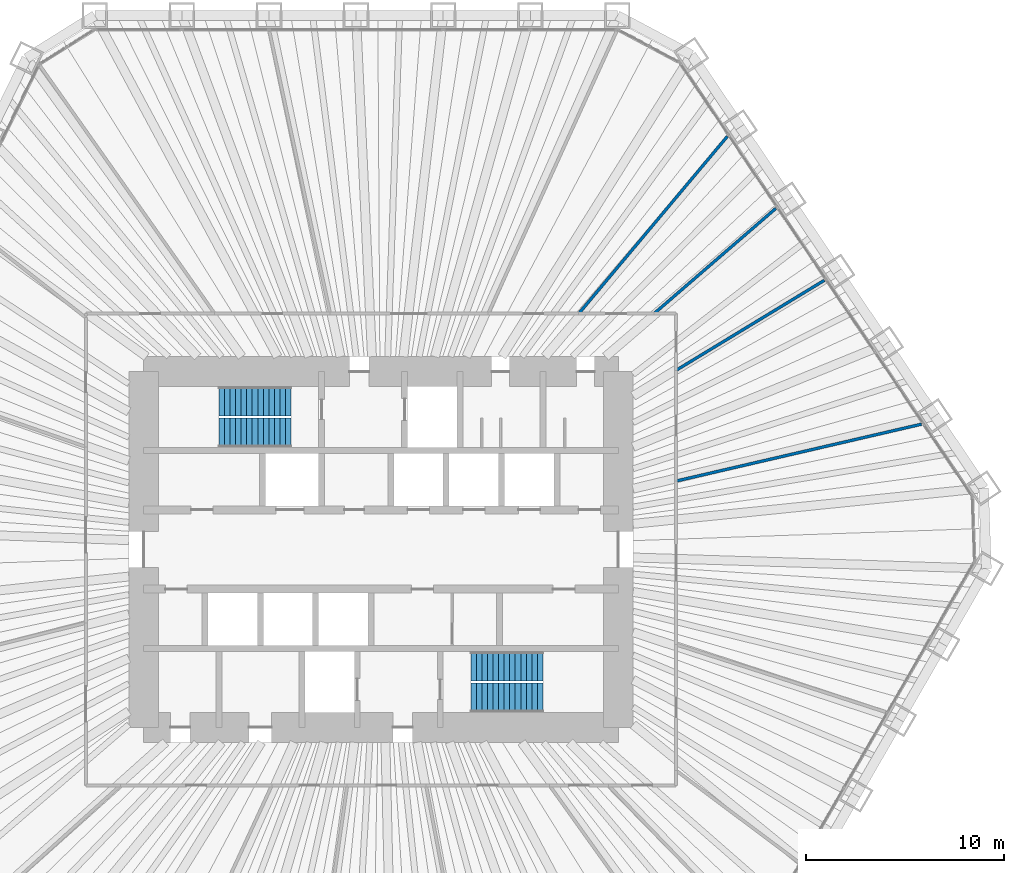
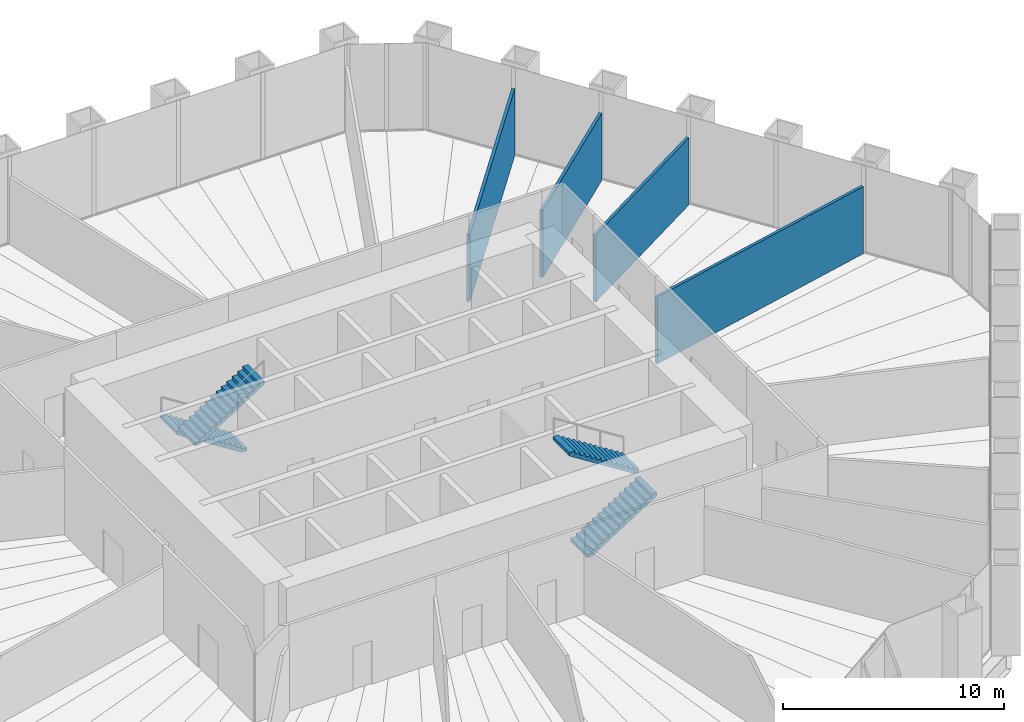
# One storey, part 13 of 14: 4 stair flights, 4 walls, 2 elements without a shape of their own.
"""IFC4 building model written with IfcOpenShell, lengths in metres."""

from ifc_helpers import new_model, si_unit, direction, frame, frame_2d, origin, place, context, subcontext, project, spatial, polyline, rectangle, outline, extrude, material, layer, layer_set, type_object, element, aggregate, save


model = new_model("IFC4")

# Units and contexts
model_context = context("Model", 3, precision=1e-05, world=origin(), true_north=direction((0.0, 1.0)))
body_context = subcontext(model_context, "Body", "Model", "MODEL_VIEW")
ifc_project = project(units=[si_unit("LENGTHUNIT", "METRE"), si_unit("AREAUNIT", "SQUARE_METRE"), si_unit("VOLUMEUNIT", "CUBIC_METRE"), si_unit("PLANEANGLEUNIT", "RADIAN"), si_unit("MASSUNIT", "GRAM", prefix="KILO")], contexts=[model_context])

# Site, building, storey
site_placement = place(None, origin())
site = spatial("IfcSite", under=ifc_project, at=site_placement, CompositionType="ELEMENT")
building_placement = place(site_placement, origin())
building = spatial("IfcBuilding", under=site, at=building_placement, Name="Qingtian Harvest Tower", CompositionType="ELEMENT")
storey_placement = place(building_placement, frame((0.0, 0.0, 82.0)))
storey = spatial("IfcBuildingStorey", under=building, at=storey_placement, Name="L16", CompositionType="ELEMENT", Elevation=82.0)

# Walls
ifc_material_1 = material(Name="Gypsum board on steel studs", Category="steel")
ifc_layer = layer(ifc_material_1, 0.14990234375)
ifc_layer_set = layer_set([ifc_layer], Name="Partition PT1 150")
wall_type = type_object("IfcWallType", Name="Partition PT1 150", PredefinedType="PARTITIONING", material=ifc_layer_set)
wall_1_placement = place(storey_placement, frame((17.5166015625, 20.890625, 0.0), z_axis=(0.0, 0.0, 1.0), x_axis=(-0.642515050703, -0.766273064658, 0.0)))
element("IfcWall", 1, at=wall_1_placement, inside=storey, type_object=wall_type, Name="Autoclave room wall L16", PredefinedType="PARTITIONING", context=body_context, shape_type="SweptSolid", body=[
    extrude(rectangle(XDim=11.7001953125, YDim=0.14990234375, at=frame_2d((5.85009765625, 0.0))), origin(), (0.0, 0.0, 1.0), 3.699951171875),
])
wall_2_placement = place(storey_placement, frame((19.96826171875, 17.250244140625, 0.0), z_axis=(0.0, 0.0, 1.0), x_axis=(-0.756733371925, -0.653723644834, 0.0)))
element("IfcWall", 2, at=wall_2_placement, inside=storey, type_object=wall_type, Name="Gowning room wall L16", PredefinedType="PARTITIONING", context=body_context, shape_type="SweptSolid", body=[
    extrude(rectangle(XDim=8.14599609375, YDim=0.14990234375, at=frame_2d((4.072998046875, 0.0))), origin(), (0.0, 0.0, 1.0), 3.699951171875),
])
wall_3_placement = place(storey_placement, frame((22.42138671875, 13.6123046875, 0.0), z_axis=(0.0, 0.0, 1.0), x_axis=(-0.854791484761, -0.518971596121, 0.0)))
element("IfcWall", 3, at=wall_3_placement, inside=storey, type_object=wall_type, Name="Quality lab wall L16", PredefinedType="PARTITIONING", context=body_context, shape_type="SweptSolid", body=[
    extrude(rectangle(XDim=8.769775390625, YDim=0.14990234375, at=frame_2d((4.384765625, 0.0))), origin(), (0.0, 0.0, 1.0), 3.699951171875),
])
wall_4_placement = place(storey_placement, frame((27.335693359375, 6.33837890625, 0.0), z_axis=(0.0, 0.0, 1.0), x_axis=(-0.97415520937, -0.22587967606, 0.0)))
element("IfcWall", 4, at=wall_4_placement, inside=storey, type_object=wall_type, Name="Specimen store wall L16", PredefinedType="PARTITIONING", context=body_context, shape_type="SweptSolid", body=[
    extrude(rectangle(XDim=12.739990234375, YDim=0.14990234375, at=frame_2d((6.3701171875, 0.0))), origin(), (0.0, 0.0, 1.0), 3.699951171875),
])

# Stair, stair flights
ifc_material_2 = material(Name="Concrete fc' 35 MPa", Category="concrete")
stair_type = type_object("IfcStairType", Name="Special stair ST2 5000", PredefinedType="HALF_TURN_STAIR", material=ifc_material_2)
stair_1_placement = place(storey_placement, origin())
stair_1 = element("IfcStair", 5, at=stair_1_placement, inside=storey, type_object=stair_type, Name="Special stair S1 L16", PredefinedType="HALF_TURN_STAIR")
ifc_material_3 = material(Name="Concrete fc' 35 MPa", Category="concrete")
stair_flight_type = type_object("IfcStairFlightType", Name="Stair flight SF2 5000", PredefinedType="STRAIGHT", material=ifc_material_3)
stair_flight_1_placement = place(storey_placement, frame((-4.550048828125, 7.5, 0.0), z_axis=(0.0, 0.0, 1.0), x_axis=(-1.0, 0.0, 0.0)))
stair_flight_1 = element("IfcStairFlight", 6, at=stair_flight_1_placement, type_object=stair_flight_type, Name="S1 flight 1", NumberOfRisers=14, NumberOfTreads=13, PredefinedType="STRAIGHT", RiserHeight=0.178571429, TreadLength=0.28, context=body_context, shape_type="SweptSolid", body=[
    extrude(outline(polyline([(0.0, 0.0), (0.0, 0.178466796875), (0.280029296875, 0.178466796875), (0.280029296875, 0.357177734375), (0.56005859375, 0.357177734375), (0.56005859375, 0.53564453125), (0.840087890625, 0.53564453125), (0.840087890625, 0.71435546875), (1.1201171875, 0.71435546875), (1.1201171875, 0.892822265625), (1.39990234375, 0.892822265625), (1.39990234375, 1.071533203125), (1.679931640625, 1.071533203125), (1.679931640625, 1.25), (1.9599609375, 1.25), (1.9599609375, 1.428466796875), (2.239990234375, 1.428466796875), (2.239990234375, 1.607177734375), (2.52001953125, 1.607177734375), (2.52001953125, 1.78564453125), (2.800048828125, 1.78564453125), (2.800048828125, 1.96435546875), (3.080078125, 1.96435546875), (3.080078125, 2.142822265625), (3.360107421875, 2.142822265625), (3.360107421875, 2.321533203125), (3.639892578125, 2.321533203125), (3.639892578125, 2.5), (3.639892578125, 2.1435546875), (0.27880859375, 0.0), (0.0, 0.0)])), frame((0.0, 0.75, 0.0), z_axis=(0.0, -1.0, 0.0), x_axis=(1.0, 0.0, 0.0)), (0.0, 0.0, 1.0), 1.5),
])
stair_flight_2_placement = place(storey_placement, frame((-8.18994140625, 5.89990234375, 2.5), z_axis=(0.0, 0.0, 1.0), x_axis=(1.0, 0.0, 0.0)))
stair_flight_2 = element("IfcStairFlight", 7, at=stair_flight_2_placement, type_object=stair_flight_type, Name="S1 flight 2", NumberOfRisers=14, NumberOfTreads=13, PredefinedType="STRAIGHT", RiserHeight=0.178571429, TreadLength=0.28, context=body_context, shape_type="SweptSolid", body=[
    extrude(outline(polyline([(0.0, 0.0), (0.0, 0.178466796875), (0.280029296875, 0.178466796875), (0.280029296875, 0.357177734375), (0.56005859375, 0.357177734375), (0.56005859375, 0.53564453125), (0.840087890625, 0.53564453125), (0.840087890625, 0.71435546875), (1.1201171875, 0.71435546875), (1.1201171875, 0.892822265625), (1.39990234375, 0.892822265625), (1.39990234375, 1.071533203125), (1.679931640625, 1.071533203125), (1.679931640625, 1.25), (1.9599609375, 1.25), (1.9599609375, 1.428466796875), (2.239990234375, 1.428466796875), (2.239990234375, 1.607177734375), (2.52001953125, 1.607177734375), (2.52001953125, 1.78564453125), (2.800048828125, 1.78564453125), (2.800048828125, 1.96435546875), (3.080078125, 1.96435546875), (3.080078125, 2.142822265625), (3.360107421875, 2.142822265625), (3.360107421875, 2.321533203125), (3.639892578125, 2.321533203125), (3.639892578125, 2.5), (3.639892578125, 2.1435546875), (0.27880859375, 0.0), (0.0, 0.0)])), frame((0.0, 0.75, 0.0), z_axis=(0.0, -1.0, 0.0), x_axis=(1.0, 0.0, 0.0)), (0.0, 0.0, 1.0), 1.5),
])
aggregate(stair_1, [stair_flight_1, stair_flight_2])

stair_2_placement = place(storey_placement, origin())
stair_2 = element("IfcStair", 8, at=stair_2_placement, inside=storey, type_object=stair_type, Name="Special stair S2 L16", PredefinedType="HALF_TURN_STAIR")
stair_flight_3_placement = place(storey_placement, frame((4.550048828125, -7.5, 0.0), z_axis=(0.0, 0.0, 1.0), x_axis=(1.0, 0.0, 0.0)))
stair_flight_3 = element("IfcStairFlight", 9, at=stair_flight_3_placement, type_object=stair_flight_type, Name="S2 flight 1", NumberOfRisers=14, NumberOfTreads=13, PredefinedType="STRAIGHT", RiserHeight=0.178571429, TreadLength=0.28, context=body_context, shape_type="SweptSolid", body=[
    extrude(outline(polyline([(0.0, 0.0), (0.0, 0.178466796875), (0.280029296875, 0.178466796875), (0.280029296875, 0.357177734375), (0.56005859375, 0.357177734375), (0.56005859375, 0.53564453125), (0.840087890625, 0.53564453125), (0.840087890625, 0.71435546875), (1.1201171875, 0.71435546875), (1.1201171875, 0.892822265625), (1.39990234375, 0.892822265625), (1.39990234375, 1.071533203125), (1.679931640625, 1.071533203125), (1.679931640625, 1.25), (1.9599609375, 1.25), (1.9599609375, 1.428466796875), (2.239990234375, 1.428466796875), (2.239990234375, 1.607177734375), (2.52001953125, 1.607177734375), (2.52001953125, 1.78564453125), (2.800048828125, 1.78564453125), (2.800048828125, 1.96435546875), (3.080078125, 1.96435546875), (3.080078125, 2.142822265625), (3.360107421875, 2.142822265625), (3.360107421875, 2.321533203125), (3.639892578125, 2.321533203125), (3.639892578125, 2.5), (3.639892578125, 2.1435546875), (0.27880859375, 0.0), (0.0, 0.0)])), frame((0.0, 0.75, 0.0), z_axis=(0.0, -1.0, 0.0), x_axis=(1.0, 0.0, 0.0)), (0.0, 0.0, 1.0), 1.5),
])
stair_flight_4_placement = place(storey_placement, frame((8.18994140625, -5.89990234375, 2.5), z_axis=(0.0, 0.0, 1.0), x_axis=(-1.0, 0.0, 0.0)))
stair_flight_4 = element("IfcStairFlight", 10, at=stair_flight_4_placement, type_object=stair_flight_type, Name="S2 flight 2", NumberOfRisers=14, NumberOfTreads=13, PredefinedType="STRAIGHT", RiserHeight=0.178571429, TreadLength=0.28, context=body_context, shape_type="SweptSolid", body=[
    extrude(outline(polyline([(0.0, 0.0), (0.0, 0.178466796875), (0.280029296875, 0.178466796875), (0.280029296875, 0.357177734375), (0.56005859375, 0.357177734375), (0.56005859375, 0.53564453125), (0.840087890625, 0.53564453125), (0.840087890625, 0.71435546875), (1.1201171875, 0.71435546875), (1.1201171875, 0.892822265625), (1.39990234375, 0.892822265625), (1.39990234375, 1.071533203125), (1.679931640625, 1.071533203125), (1.679931640625, 1.25), (1.9599609375, 1.25), (1.9599609375, 1.428466796875), (2.239990234375, 1.428466796875), (2.239990234375, 1.607177734375), (2.52001953125, 1.607177734375), (2.52001953125, 1.78564453125), (2.800048828125, 1.78564453125), (2.800048828125, 1.96435546875), (3.080078125, 1.96435546875), (3.080078125, 2.142822265625), (3.360107421875, 2.142822265625), (3.360107421875, 2.321533203125), (3.639892578125, 2.321533203125), (3.639892578125, 2.5), (3.639892578125, 2.1435546875), (0.27880859375, 0.0), (0.0, 0.0)])), frame((0.0, 0.75, 0.0), z_axis=(0.0, -1.0, 0.0), x_axis=(1.0, 0.0, 0.0)), (0.0, 0.0, 1.0), 1.5),
])
aggregate(stair_2, [stair_flight_3, stair_flight_4])

save(model, "model.ifc")
